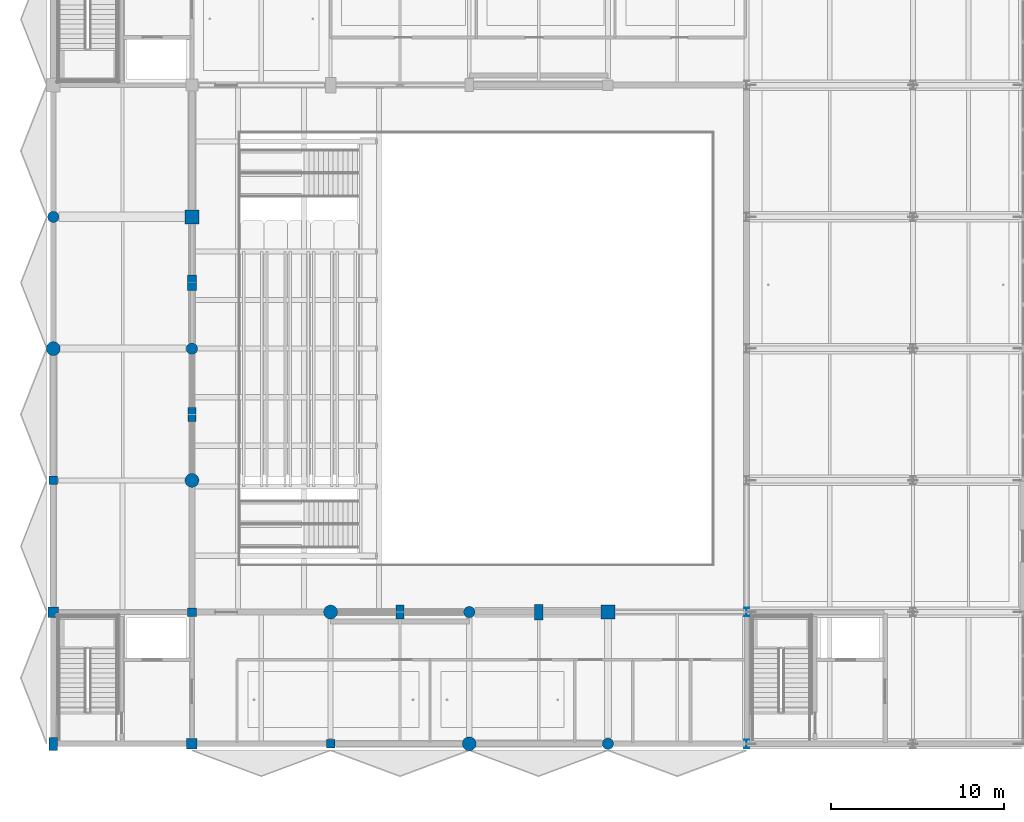
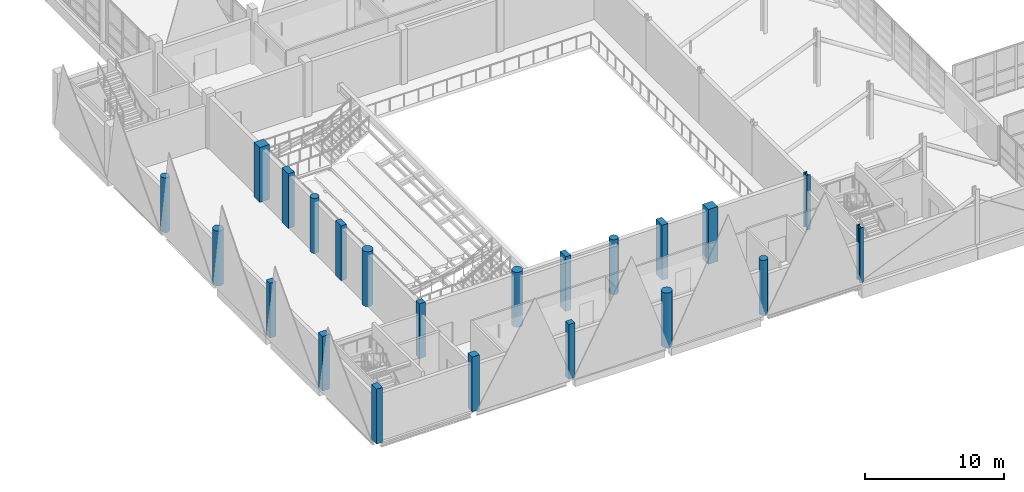
# One storey, part 1 of 141: 22 columns.
"""IFC4 building model written with IfcOpenShell, lengths in metres."""

from ifc_helpers import new_model, si_unit, direction, frame, origin, origin_with_axes, origin_2d, place, context, subcontext, project, spatial, rectangle, circle, i_section, extrude, material, material_profile, profile_set, type_object, element, save


model = new_model("IFC4")

# Units and contexts
model_context = context("Model", 3, precision=1e-05, world=origin(), true_north=direction((0.0, 1.0)))
body_context = subcontext(model_context, "Body", "Model", "MODEL_VIEW")
ifc_project = project(units=[si_unit("LENGTHUNIT", "METRE"), si_unit("AREAUNIT", "SQUARE_METRE"), si_unit("VOLUMEUNIT", "CUBIC_METRE"), si_unit("PLANEANGLEUNIT", "RADIAN"), si_unit("MASSUNIT", "GRAM", prefix="KILO")], contexts=[model_context])

# Site, building, storey
site_placement = place(None, origin())
site = spatial("IfcSite", under=ifc_project, at=site_placement, CompositionType="ELEMENT")
building_placement = place(site_placement, origin())
building = spatial("IfcBuilding", under=site, at=building_placement, Name="Khelvaren Railside Concert Hall", CompositionType="ELEMENT")
storey_placement = place(building_placement, frame((0.0, 0.0, 10.199951171875)))
storey = spatial("IfcBuildingStorey", under=building, at=storey_placement, Name="L02", CompositionType="ELEMENT", Elevation=10.199951171875)

# Columns
ifc_material_1 = material(Name="Concrete C45/55", Category="concrete")
ifc_material_profile_1 = material_profile(ifc_material_1, rectangle(XDim=0.60009765625, YDim=0.60009765625, at=origin_2d()), Name="RC 600x600")
ifc_profile_set_1 = profile_set([ifc_material_profile_1], Name="Concrete C45/55")
column_type_1 = type_object("IfcColumnType", Name="COL11", PredefinedType="COLUMN", material=ifc_profile_set_1)
for number, where, z_axis, x_axis, name in (
    (1, (0.0, 7.60009765625, 0.0), (0.0, 0.0, 1.0), (1.0, 0.0, 0.0), "V1 L02 Column (0.0,7.6)"),
    (2, (8.0, 0.0, 0.0), (0.0, 0.0, 1.0), (1.0, 0.0, 0.0), "V1 L02 Column (8.0,0.0)"),
):
    element("IfcColumn", number, at=place(storey_placement, frame(where, z_axis=z_axis, x_axis=x_axis)), inside=storey, type_object=column_type_1, Name=name, PredefinedType="COLUMN", context=body_context, shape_type="SweptSolid", body=[
        extrude(rectangle(XDim=0.60009765625, YDim=0.60009765625, at=origin_2d()), origin(), (0.0, 0.0, 1.0), 4.800048828125),
    ])
ifc_material_profile_2 = material_profile(ifc_material_1, circle(Radius=0.39990234375, at=origin_2d()), Name="RC D800")
ifc_profile_set_2 = profile_set([ifc_material_profile_2], Name="Concrete C45/55")
column_type_2 = type_object("IfcColumnType", Name="COL14", PredefinedType="COLUMN", material=ifc_profile_set_2)
for number, where, z_axis, x_axis, name in (
    (3, (8.0, 15.199951171875, 0.0), (0.0, 0.0, 1.0), (1.0, 0.0, 0.0), "V1 L02 Column (8.0,15.2)"),
    (4, (16.0, 7.60009765625, 0.0), (0.0, 0.0, 1.0), (1.0, 0.0, 0.0), "V1 L02 Column (16.0,7.6)"),
):
    element("IfcColumn", number, at=place(storey_placement, frame(where, z_axis=z_axis, x_axis=x_axis)), inside=storey, type_object=column_type_2, Name=name, PredefinedType="COLUMN", context=body_context, shape_type="SweptSolid", body=[
        extrude(circle(Radius=0.39990234375, at=origin_2d()), origin(), (0.0, 0.0, 1.0), 4.800048828125),
    ])
ifc_material_2 = material(Name="Steel S355", Category="steel")
ifc_material_profile_3 = material_profile(ifc_material_2, i_section(OverallWidth=0.300048828125, OverallDepth=0.5, WebThickness=0.014404296875, FlangeThickness=0.028076171875, FilletRadius=0.027099609375, at=origin_2d()), Name="HEB 500")
ifc_profile_set_3 = profile_set([ifc_material_profile_3], Name="Steel S355")
column_type_3 = type_object("IfcColumnType", Name="COL15", PredefinedType="COLUMN", material=ifc_profile_set_3)
column_1_placement = place(storey_placement, frame((40.0, 0.0, 0.0), z_axis=(0.0, 0.0, 1.0), x_axis=(1.0, 0.0, 0.0)))
element("IfcColumn", 5, at=column_1_placement, inside=storey, type_object=column_type_3, Name="V1 L02 Column (40.0,0.0)", PredefinedType="COLUMN", context=body_context, shape_type="SweptSolid", body=[
    extrude(i_section(OverallWidth=0.300048828125, OverallDepth=0.5, WebThickness=0.014404296875, FlangeThickness=0.028076171875, FilletRadius=0.027099609375, at=origin_2d()), origin(), (0.0, 0.0, 1.0), 4.800048828125),
])
ifc_material_profile_4 = material_profile(ifc_material_1, rectangle(XDim=0.800048828125, YDim=0.800048828125, at=origin_2d()), Name="RC 800x800")
ifc_profile_set_4 = profile_set([ifc_material_profile_4], Name="Concrete C45/55")
column_type_4 = type_object("IfcColumnType", Name="COL20", PredefinedType="COLUMN", material=ifc_profile_set_4)
for number, where, z_axis, x_axis, name in (
    (6, (8.0, 30.39990234375, 0.0), (0.0, 0.0, 1.0), (1.0, 0.0, 0.0), "V1 L02 Column (8.0,30.4)"),
    (7, (32.0, 7.60009765625, 0.0), (0.0, 0.0, 1.0), (1.0, 0.0, 0.0), "V1 L02 Column (32.0,7.6)"),
):
    element("IfcColumn", number, at=place(storey_placement, frame(where, z_axis=z_axis, x_axis=x_axis)), inside=storey, type_object=column_type_4, Name=name, PredefinedType="COLUMN", context=body_context, shape_type="SweptSolid", body=[
        extrude(rectangle(XDim=0.800048828125, YDim=0.800048828125, at=origin_2d()), origin(), (0.0, 0.0, 1.0), 4.800048828125),
    ])
ifc_material_profile_5 = material_profile(ifc_material_1, circle(Radius=0.39990234375, at=origin_2d()), Name="RC D800")
ifc_profile_set_5 = profile_set([ifc_material_profile_5], Name="Concrete C45/55")
column_type_5 = type_object("IfcColumnType", Name="COL22", PredefinedType="COLUMN", material=ifc_profile_set_5)
for number, where, z_axis, x_axis, name in (
    (8, (0.0, 22.800048828125, 0.0), (0.0, 0.0, 1.0), (1.0, 0.0, 0.0), "V1 L02 Column (0.0,22.8)"),
    (9, (24.0, 0.0, 0.0), (0.0, 0.0, 1.0), (1.0, 0.0, 0.0), "V1 L02 Column (24.0,0.0)"),
):
    element("IfcColumn", number, at=place(storey_placement, frame(where, z_axis=z_axis, x_axis=x_axis)), inside=storey, type_object=column_type_5, Name=name, PredefinedType="COLUMN", context=body_context, shape_type="SweptSolid", body=[
        extrude(circle(Radius=0.39990234375, at=origin_2d()), origin(), (0.0, 0.0, 1.0), 4.800048828125),
    ])
ifc_material_profile_6 = material_profile(ifc_material_2, i_section(OverallWidth=0.300048828125, OverallDepth=0.5, WebThickness=0.014404296875, FlangeThickness=0.028076171875, FilletRadius=0.027099609375, at=origin_2d()), Name="HEB 500")
ifc_profile_set_6 = profile_set([ifc_material_profile_6], Name="Steel S355")
column_type_6 = type_object("IfcColumnType", Name="COL25", PredefinedType="COLUMN", material=ifc_profile_set_6)
column_2_placement = place(storey_placement, frame((40.0, 7.60009765625, 0.0), z_axis=(0.0, 0.0, 1.0), x_axis=(1.0, 0.0, 0.0)))
element("IfcColumn", 10, at=column_2_placement, inside=storey, type_object=column_type_6, Name="V1 L02 Column (40.0,7.6)", PredefinedType="COLUMN", context=body_context, shape_type="SweptSolid", body=[
    extrude(i_section(OverallWidth=0.300048828125, OverallDepth=0.5, WebThickness=0.014404296875, FlangeThickness=0.028076171875, FilletRadius=0.027099609375, at=origin_2d()), origin(), (0.0, 0.0, 1.0), 4.800048828125),
])
ifc_material_profile_7 = material_profile(ifc_material_1, rectangle(XDim=0.5, YDim=0.5, at=origin_2d()), Name="RC 500x500")
ifc_profile_set_7 = profile_set([ifc_material_profile_7], Name="Concrete C45/55")
column_type_7 = type_object("IfcColumnType", Name="COL35", PredefinedType="COLUMN", material=ifc_profile_set_7)
for number, where, z_axis, x_axis, name in (
    (11, (0.0, 15.199951171875, 0.0), (0.0, 0.0, 1.0), (1.0, 0.0, 0.0), "V1 L02 Column (0.0,15.2)"),
    (12, (16.0, 0.0, 0.0), (0.0, 0.0, 1.0), (1.0, 0.0, 0.0), "V1 L02 Column (16.0,0.0)"),
):
    element("IfcColumn", number, at=place(storey_placement, frame(where, z_axis=z_axis, x_axis=x_axis)), inside=storey, type_object=column_type_7, Name=name, PredefinedType="COLUMN", context=body_context, shape_type="SweptSolid", body=[
        extrude(rectangle(XDim=0.5, YDim=0.5, at=origin_2d()), origin(), (0.0, 0.0, 1.0), 4.800048828125),
    ])
ifc_material_profile_8 = material_profile(ifc_material_1, circle(Radius=0.324951171875, at=origin_2d()), Name="RC D650")
ifc_profile_set_8 = profile_set([ifc_material_profile_8], Name="Concrete C45/55")
column_type_8 = type_object("IfcColumnType", Name="COL53", PredefinedType="COLUMN", material=ifc_profile_set_8)
for number, where, z_axis, x_axis, name in (
    (13, (0.0, 30.39990234375, 0.0), (0.0, 0.0, 1.0), (1.0, 0.0, 0.0), "V1 L02 Column (0.0,30.4)"),
    (14, (32.0, 0.0, 0.0), (0.0, 0.0, 1.0), (1.0, 0.0, 0.0), "V1 L02 Column (32.0,0.0)"),
):
    element("IfcColumn", number, at=place(storey_placement, frame(where, z_axis=z_axis, x_axis=x_axis)), inside=storey, type_object=column_type_8, Name=name, PredefinedType="COLUMN", context=body_context, shape_type="SweptSolid", body=[
        extrude(circle(Radius=0.324951171875, at=origin_2d()), origin(), (0.0, 0.0, 1.0), 4.800048828125),
    ])
ifc_material_profile_9 = material_profile(ifc_material_1, rectangle(XDim=0.5, YDim=0.5, at=origin_2d()), Name="RC 500x500")
ifc_profile_set_9 = profile_set([ifc_material_profile_9], Name="Concrete C45/55")
column_type_9 = type_object("IfcColumnType", Name="COL84", PredefinedType="COLUMN", material=ifc_profile_set_9)
column_3_placement = place(storey_placement, frame((8.0, 7.60009765625, 0.0), z_axis=(0.0, 0.0, 1.0), x_axis=(1.0, 0.0, 0.0)))
element("IfcColumn", 15, at=column_3_placement, inside=storey, type_object=column_type_9, Name="V1 L02 Column (8.0,7.6)", PredefinedType="COLUMN", context=body_context, shape_type="SweptSolid", body=[
    extrude(rectangle(XDim=0.5, YDim=0.5, at=origin_2d()), origin(), (0.0, 0.0, 1.0), 4.800048828125),
])
ifc_material_profile_10 = material_profile(ifc_material_1, circle(Radius=0.324951171875, at=origin_2d()), Name="RC D650")
ifc_profile_set_10 = profile_set([ifc_material_profile_10], Name="Concrete C45/55")
column_type_10 = type_object("IfcColumnType", Name="COL94", PredefinedType="COLUMN", material=ifc_profile_set_10)
for number, where, z_axis, x_axis, name in (
    (16, (8.0, 22.800048828125, 0.0), (0.0, 0.0, 1.0), (1.0, 0.0, 0.0), "V1 L02 Column (8.0,22.8)"),
    (17, (24.0, 7.60009765625, 0.0), (0.0, 0.0, 1.0), (1.0, 0.0, 0.0), "V1 L02 Column (24.0,7.6)"),
):
    element("IfcColumn", number, at=place(storey_placement, frame(where, z_axis=z_axis, x_axis=x_axis)), inside=storey, type_object=column_type_10, Name=name, PredefinedType="COLUMN", context=body_context, shape_type="SweptSolid", body=[
        extrude(circle(Radius=0.324951171875, at=origin_2d()), origin(), (0.0, 0.0, 1.0), 4.800048828125),
    ])
ifc_material_profile_11 = material_profile(ifc_material_1, rectangle(XDim=0.5, YDim=0.75, at=origin_2d()), Name="RC 500x750")
ifc_profile_set_11 = profile_set([ifc_material_profile_11], Name="Concrete C45/55")
column_type_11 = type_object("IfcColumnType", Name="COL97", PredefinedType="COLUMN", material=ifc_profile_set_11)
column_4_placement = place(storey_placement, origin_with_axes())
element("IfcColumn", 18, at=column_4_placement, inside=storey, type_object=column_type_11, Name="V1 L02 Column (0.0,0.0)", PredefinedType="COLUMN", context=body_context, shape_type="SweptSolid", body=[
    extrude(rectangle(XDim=0.5, YDim=0.75, at=origin_2d()), origin(), (0.0, 0.0, 1.0), 4.800048828125),
])
ifc_material_profile_12 = material_profile(ifc_material_1, rectangle(XDim=0.5, YDim=0.89990234375, at=origin_2d()), Name="PIL 500x900")
ifc_profile_set_12 = profile_set([ifc_material_profile_12], Name="Concrete C45/55")
column_type_12 = type_object("IfcColumnType", Name="PIL31", PredefinedType="PILASTER", material=ifc_profile_set_12)
for number, where, z_axis, x_axis, name in (
    (19, (8.0, 26.60009765625, 0.0), (0.0, 0.0, 1.0), (1.0, 0.0, 0.0), "Acoustic Buttress Pilaster 20"),
    (20, (28.0, 7.60009765625, 0.0), (0.0, 0.0, 1.0), (1.0, 0.0, 0.0), "Acoustic Buttress Pilaster 22"),
):
    element("IfcColumn", number, at=place(storey_placement, frame(where, z_axis=z_axis, x_axis=x_axis)), inside=storey, type_object=column_type_12, Name=name, PredefinedType="PILASTER", context=body_context, shape_type="SweptSolid", body=[
        extrude(rectangle(XDim=0.5, YDim=0.89990234375, at=origin_2d()), origin(), (0.0, 0.0, 1.0), 4.800048828125),
    ])
ifc_material_profile_13 = material_profile(ifc_material_1, rectangle(XDim=0.449951171875, YDim=0.800048828125, at=origin_2d()), Name="PIL 450x800")
ifc_profile_set_13 = profile_set([ifc_material_profile_13], Name="Concrete C45/55")
column_type_13 = type_object("IfcColumnType", Name="PIL63", PredefinedType="PILASTER", material=ifc_profile_set_13)
for number, where, z_axis, x_axis, name in (
    (21, (8.0, 19.0, 0.0), (0.0, 0.0, 1.0), (1.0, 0.0, 0.0), "Acoustic Buttress Pilaster 19"),
    (22, (20.0, 7.60009765625, 0.0), (0.0, 0.0, 1.0), (1.0, 0.0, 0.0), "Acoustic Buttress Pilaster 21"),
):
    element("IfcColumn", number, at=place(storey_placement, frame(where, z_axis=z_axis, x_axis=x_axis)), inside=storey, type_object=column_type_13, Name=name, PredefinedType="PILASTER", context=body_context, shape_type="SweptSolid", body=[
        extrude(rectangle(XDim=0.449951171875, YDim=0.800048828125, at=origin_2d()), origin(), (0.0, 0.0, 1.0), 4.800048828125),
    ])

save(model, "model.ifc")
